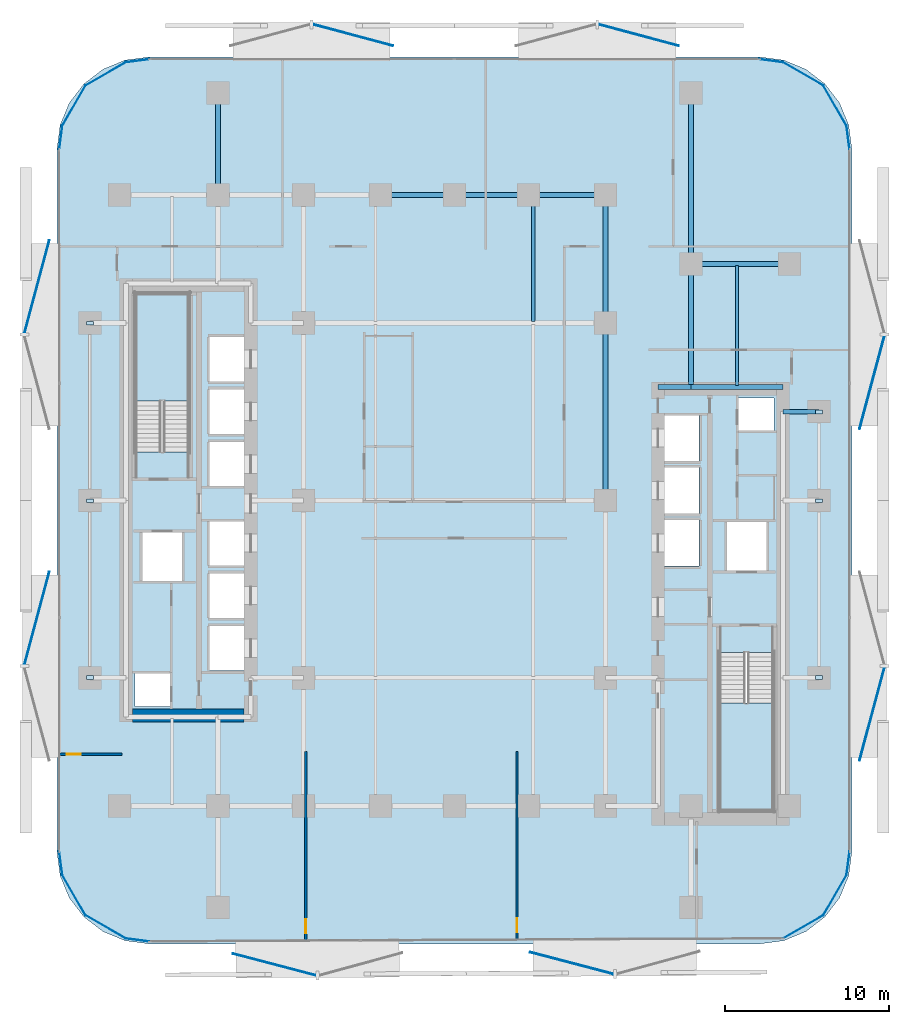
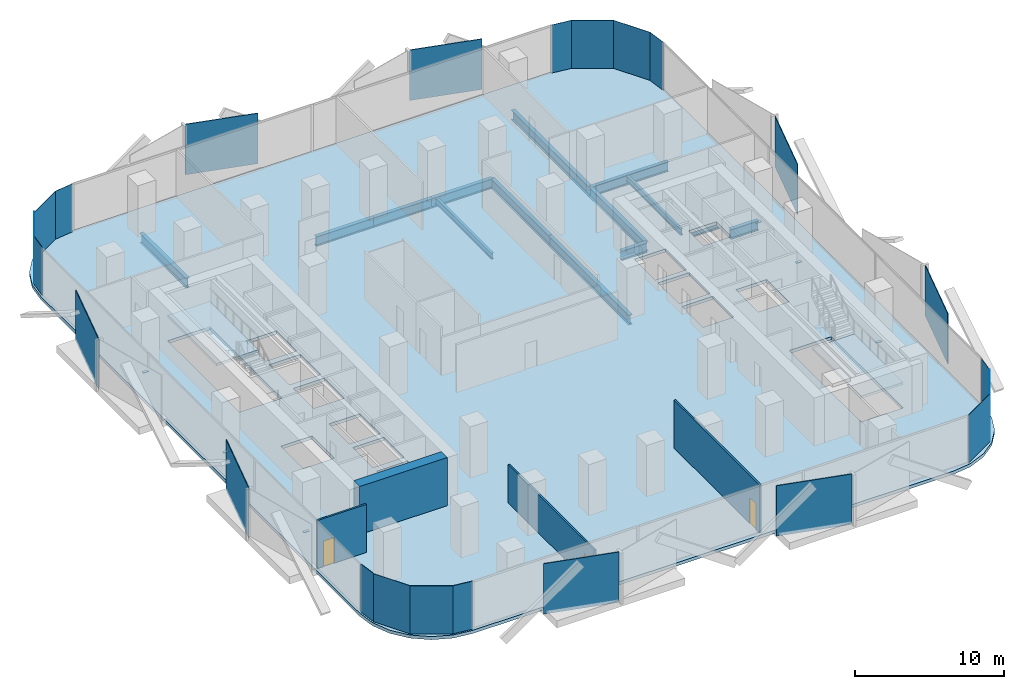
# One storey, part 2 of 15: 29 plates, 14 beams, 4 walls, 3 doors, 3 slabs, 3 openings, 2 elements without a shape of their own.
"""IFC4 building model written with IfcOpenShell, lengths in metres."""

from ifc_helpers import new_model, si_unit, direction, frame, frame_2d, origin, origin_2d, place, context, subcontext, project, spatial, polyline, rectangle, i_section, outline, extrude, material, layer, layer_set, material_profile, profile_set, type_object, element, fill, aggregate, save


model = new_model("IFC4")

# Units and contexts
model_context = context("Model", 3, precision=1e-05, world=origin(), true_north=direction((0.0, 1.0)))
body_context = subcontext(model_context, "Body", "Model", "MODEL_VIEW")
ifc_project = project(units=[si_unit("LENGTHUNIT", "METRE"), si_unit("AREAUNIT", "SQUARE_METRE"), si_unit("VOLUMEUNIT", "CUBIC_METRE"), si_unit("PLANEANGLEUNIT", "RADIAN"), si_unit("MASSUNIT", "GRAM", prefix="KILO")], contexts=[model_context])

# Site, building, storey
site_placement = place(None, origin())
site = spatial("IfcSite", under=ifc_project, at=site_placement, CompositionType="ELEMENT")
building_placement = place(site_placement, origin())
building = spatial("IfcBuilding", under=site, at=building_placement, Name="Khairoan Windgate Tower", CompositionType="ELEMENT")
storey_placement = place(building_placement, frame((0.0, 0.0, 51.199951171875)))
storey = spatial("IfcBuildingStorey", under=building, at=storey_placement, Name="L12", CompositionType="ELEMENT", Elevation=51.199951171875)

# Beams
ifc_material_1 = material(Name="Steel S355", Category="steel")
ifc_material_profile_1 = material_profile(ifc_material_1, i_section(OverallWidth=0.300048828125, OverallDepth=0.800048828125, WebThickness=0.013916015625, FlangeThickness=0.02587890625, FilletRadius=0.028076171875, at=origin_2d()))
ifc_profile_set_1 = profile_set([ifc_material_profile_1], Name="Steel S355")
beam_type_1 = type_object("IfcBeamType", Name="Beam B-G2 H800x300x14x26", PredefinedType="BEAM", material=ifc_profile_set_1)
beam_1_placement = place(storey_placement, frame((20.0, 5.39990234375, -0.659912109375), z_axis=(1.0, 0.0, 0.0), x_axis=(0.0, 1.0, 0.0)))
element("IfcBeam", 1, at=beam_1_placement, inside=storey, type_object=beam_type_1, Name="L12 E-W Primary Girder 19", PredefinedType="BEAM", context=body_context, shape_type="SweptSolid", body=[
    extrude(i_section(OverallWidth=0.300048828125, OverallDepth=0.800048828125, WebThickness=0.013916015625, FlangeThickness=0.02587890625, FilletRadius=0.028076171875, at=origin_2d()), origin(), (0.0, 0.0, 1.0), 2.199951171875),
])
beam_2_placement = place(storey_placement, frame((12.39990234375, 6.89990234375, -0.659912109375), z_axis=(1.0, 0.0, 0.0), x_axis=(0.0, 1.0, 0.0)))
element("IfcBeam", 2, at=beam_2_placement, inside=storey, type_object=beam_type_1, Name="L12 E-W Primary Girder 20", PredefinedType="BEAM", context=body_context, shape_type="SweptSolid", body=[
    extrude(i_section(OverallWidth=0.300048828125, OverallDepth=0.800048828125, WebThickness=0.013916015625, FlangeThickness=0.02587890625, FilletRadius=0.028076171875, at=origin_2d()), origin(), (0.0, 0.0, 1.0), 2.0),
])
beam_3_placement = place(storey_placement, frame((14.39990234375, 6.89990234375, -0.659912109375), z_axis=(1.0, 0.0, 0.0), x_axis=(0.0, 1.0, 0.0)))
element("IfcBeam", 3, at=beam_3_placement, inside=storey, type_object=beam_type_1, Name="L12 E-W Primary Girder 21", PredefinedType="BEAM", context=body_context, shape_type="SweptSolid", body=[
    extrude(i_section(OverallWidth=0.300048828125, OverallDepth=0.800048828125, WebThickness=0.013916015625, FlangeThickness=0.02587890625, FilletRadius=0.028076171875, at=origin_2d()), origin(), (0.0, 0.0, 1.0), 5.60009765625),
])
beam_4_placement = place(storey_placement, frame((14.39990234375, 14.39990234375, -0.659912109375), z_axis=(1.0, 0.0, 0.0), x_axis=(0.0, 1.0, 0.0)))
element("IfcBeam", 4, at=beam_4_placement, inside=storey, type_object=beam_type_1, Name="L12 E-W Primary Girder 27", PredefinedType="BEAM", context=body_context, shape_type="SweptSolid", body=[
    extrude(i_section(OverallWidth=0.300048828125, OverallDepth=0.800048828125, WebThickness=0.013916015625, FlangeThickness=0.02587890625, FilletRadius=0.028076171875, at=origin_2d()), origin(), (0.0, 0.0, 1.0), 6.0),
])
for number, where, z_axis, x_axis, name in (
    (5, (-4.5, 18.60009765625, -0.659912109375), (1.0, 0.0, 0.0), (0.0, 1.0, 0.0), "L12 E-W Primary Girder 31"),
    (6, (0.0, 18.60009765625, -0.659912109375), (1.0, 0.0, 0.0), (0.0, 1.0, 0.0), "L12 E-W Primary Girder 32"),
):
    element("IfcBeam", number, at=place(storey_placement, frame(where, z_axis=z_axis, x_axis=x_axis)), inside=storey, type_object=beam_type_1, Name=name, PredefinedType="BEAM", context=body_context, shape_type="SweptSolid", body=[
        extrude(i_section(OverallWidth=0.300048828125, OverallDepth=0.800048828125, WebThickness=0.013916015625, FlangeThickness=0.02587890625, FilletRadius=0.028076171875, at=origin_2d()), origin(), (0.0, 0.0, 1.0), 4.5),
    ])
beam_5_placement = place(storey_placement, frame((4.5, 18.60009765625, -0.659912109375), z_axis=(1.0, 0.0, 0.0), x_axis=(0.0, 1.0, 0.0)))
element("IfcBeam", 7, at=beam_5_placement, inside=storey, type_object=beam_type_1, Name="L12 E-W Primary Girder 33", PredefinedType="BEAM", context=body_context, shape_type="SweptSolid", body=[
    extrude(i_section(OverallWidth=0.300048828125, OverallDepth=0.800048828125, WebThickness=0.013916015625, FlangeThickness=0.02587890625, FilletRadius=0.028076171875, at=origin_2d()), origin(), (0.0, 0.0, 1.0), 4.699951171875),
])
beam_6_placement = place(storey_placement, frame((-14.39990234375, 18.60009765625, -0.659912109375), z_axis=(0.0, 1.0, 0.0), x_axis=(-1.0, 0.0, 0.0)))
element("IfcBeam", 8, at=beam_6_placement, inside=storey, type_object=beam_type_1, Name="L12 N-S Primary Beam 43", PredefinedType="BEAM", context=body_context, shape_type="SweptSolid", body=[
    extrude(i_section(OverallWidth=0.300048828125, OverallDepth=0.800048828125, WebThickness=0.013916015625, FlangeThickness=0.02587890625, FilletRadius=0.028076171875, at=origin_2d()), origin(), (0.0, 0.0, 1.0), 6.199951171875),
])
beam_7_placement = place(storey_placement, frame((9.199951171875, 0.0, -0.659912109375), z_axis=(0.0, 1.0, 0.0), x_axis=(-1.0, 0.0, 0.0)))
element("IfcBeam", 9, at=beam_7_placement, inside=storey, type_object=beam_type_1, Name="L12 N-S Primary Beam 52", PredefinedType="BEAM", context=body_context, shape_type="SweptSolid", body=[
    extrude(i_section(OverallWidth=0.300048828125, OverallDepth=0.800048828125, WebThickness=0.013916015625, FlangeThickness=0.02587890625, FilletRadius=0.028076171875, at=origin_2d()), origin(), (0.0, 0.0, 1.0), 10.800048828125),
])
beam_8_placement = place(storey_placement, frame((9.199951171875, 10.800048828125, -0.659912109375), z_axis=(0.0, 1.0, 0.0), x_axis=(-1.0, 0.0, 0.0)))
element("IfcBeam", 10, at=beam_8_placement, inside=storey, type_object=beam_type_1, Name="L12 N-S Primary Beam 53", PredefinedType="BEAM", context=body_context, shape_type="SweptSolid", body=[
    extrude(i_section(OverallWidth=0.300048828125, OverallDepth=0.800048828125, WebThickness=0.013916015625, FlangeThickness=0.02587890625, FilletRadius=0.028076171875, at=origin_2d()), origin(), (0.0, 0.0, 1.0), 7.800048828125),
])
beam_9_placement = place(storey_placement, frame((14.39990234375, 6.89990234375, -0.659912109375), z_axis=(0.0, 1.0, 0.0), x_axis=(-1.0, 0.0, 0.0)))
element("IfcBeam", 11, at=beam_9_placement, inside=storey, type_object=beam_type_1, Name="L12 N-S Primary Beam 56", PredefinedType="BEAM", context=body_context, shape_type="SweptSolid", body=[
    extrude(i_section(OverallWidth=0.300048828125, OverallDepth=0.800048828125, WebThickness=0.013916015625, FlangeThickness=0.02587890625, FilletRadius=0.028076171875, at=origin_2d()), origin(), (0.0, 0.0, 1.0), 7.5),
])
beam_10_placement = place(storey_placement, frame((14.39990234375, 14.39990234375, -0.659912109375), z_axis=(0.0, 1.0, 0.0), x_axis=(-1.0, 0.0, 0.0)))
element("IfcBeam", 12, at=beam_10_placement, inside=storey, type_object=beam_type_1, Name="L12 N-S Primary Beam 57", PredefinedType="BEAM", context=body_context, shape_type="SweptSolid", body=[
    extrude(i_section(OverallWidth=0.300048828125, OverallDepth=0.800048828125, WebThickness=0.013916015625, FlangeThickness=0.02587890625, FilletRadius=0.028076171875, at=origin_2d()), origin(), (0.0, 0.0, 1.0), 10.400146484375),
])
ifc_material_2 = material(Name="Steel S355", Category="steel")
ifc_material_profile_2 = material_profile(ifc_material_2, i_section(OverallWidth=0.199951171875, OverallDepth=0.5, WebThickness=0.010009765625, FlangeThickness=0.01611328125, FilletRadius=0.02001953125, at=origin_2d()))
ifc_profile_set_2 = profile_set([ifc_material_profile_2], Name="Steel S355")
beam_type_2 = type_object("IfcBeamType", Name="Beam J-S2 H500x200x10x16", PredefinedType="JOIST", material=ifc_profile_set_2)
beam_11_placement = place(storey_placement, frame((4.800048828125, 10.889892578125, -0.510009765625), z_axis=(0.0, 1.0, 0.0), x_axis=(-1.0, 0.0, 0.0)))
element("IfcBeam", 13, at=beam_11_placement, inside=storey, type_object=beam_type_2, Name="L12 Secondary Floor Joist 10", PredefinedType="JOIST", context=body_context, shape_type="SweptSolid", body=[
    extrude(i_section(OverallWidth=0.199951171875, OverallDepth=0.5, WebThickness=0.010009765625, FlangeThickness=0.01611328125, FilletRadius=0.02001953125, at=origin_2d()), origin(), (0.0, 0.0, 1.0), 7.6201171875),
])
beam_12_placement = place(storey_placement, frame((17.199951171875, 6.989990234375, -0.510009765625), z_axis=(0.0, 1.0, 0.0), x_axis=(-1.0, 0.0, 0.0)))
element("IfcBeam", 14, at=beam_12_placement, inside=storey, type_object=beam_type_2, Name="L12 Secondary Floor Joist 11", PredefinedType="JOIST", context=body_context, shape_type="SweptSolid", body=[
    extrude(i_section(OverallWidth=0.199951171875, OverallDepth=0.5, WebThickness=0.010009765625, FlangeThickness=0.01611328125, FilletRadius=0.02001953125, at=origin_2d()), origin(), (0.0, 0.0, 1.0), 7.320068359375),
])

# Plates
ifc_material_3 = material(Name="Low-E Solar Control Laminated Glass", Category="glass")
ifc_layer_1 = layer(ifc_material_3, 0.030029296875, Name="Low-E Solar Control Laminated Glass")
ifc_layer_set_1 = layer_set([ifc_layer_1], Name="Low-E Solar Control Laminated Glass")
plate_type_1 = type_object("IfcPlateType", Name="Aerodynamic Wind-Corner Curved Glazing Plate", PredefinedType="USERDEFINED", material=ifc_layer_set_1)
plate_placement = place(storey_placement, frame((-19.302001953125, -26.766357421875, 0.0), z_axis=(0.0, 0.0, 1.0), x_axis=(-0.991444861374, 0.13052619222, 0.0)))
element("IfcPlate", 15, at=plate_placement, inside=storey, type_object=plate_type_1, Name="L12 Aerodynamic Wind-Corner Curved Glazing Panel 2", ObjectType="GLAZING PANEL", PredefinedType="USERDEFINED", context=body_context, shape_type="SweptSolid", body=[
    extrude(rectangle(XDim=1.474365234375, YDim=0.028076171875, at=origin_2d()), origin(), (0.0, 0.0, 1.0), 3.93994140625),
])
for number, where, z_axis, x_axis, name in (
    (16, (-21.236328125, -25.96630859375, 0.0), (0.0, 0.0, 1.0), (-0.866025403784, 0.5, 0.0), "L12 Aerodynamic Wind-Corner Curved Glazing Panel 3"),
    (17, (-23.16650390625, -24.03662109375, 0.0), (0.0, 0.0, 1.0), (-0.5, 0.866025403784, 0.0), "L12 Aerodynamic Wind-Corner Curved Glazing Panel 4"),
):
    element("IfcPlate", number, at=place(storey_placement, frame(where, z_axis=z_axis, x_axis=x_axis)), inside=storey, type_object=plate_type_1, Name=name, ObjectType="GLAZING PANEL", PredefinedType="USERDEFINED", context=body_context, shape_type="SweptSolid", body=[
        extrude(rectangle(XDim=2.86572265625, YDim=0.028076171875, at=origin_2d()), origin(), (0.0, 0.0, 1.0), 3.93994140625),
    ])
for number, where, z_axis, x_axis, name in (
    (18, (-23.96630859375, -22.101806640625, 0.0), (0.0, 0.0, 1.0), (-0.13052619222, 0.991444861374, 0.0), "L12 Aerodynamic Wind-Corner Curved Glazing Panel 5"),
    (19, (-23.96630859375, 22.101806640625, 0.0), (0.0, 0.0, 1.0), (0.13052619222, 0.991444861374, 0.0), "L12 Aerodynamic Wind-Corner Curved Glazing Panel 7"),
):
    element("IfcPlate", number, at=place(storey_placement, frame(where, z_axis=z_axis, x_axis=x_axis)), inside=storey, type_object=plate_type_1, Name=name, ObjectType="GLAZING PANEL", PredefinedType="USERDEFINED", context=body_context, shape_type="SweptSolid", body=[
        extrude(rectangle(XDim=1.474365234375, YDim=0.028076171875, at=origin_2d()), origin(), (0.0, 0.0, 1.0), 3.93994140625),
    ])
for number, where, z_axis, x_axis, name in (
    (20, (-23.16650390625, 24.03662109375, 0.0), (0.0, 0.0, 1.0), (0.5, 0.866025403784, 0.0), "L12 Aerodynamic Wind-Corner Curved Glazing Panel 8"),
    (21, (-21.236328125, 25.96630859375, 0.0), (0.0, 0.0, 1.0), (0.866025403784, 0.5, 0.0), "L12 Aerodynamic Wind-Corner Curved Glazing Panel 9"),
):
    element("IfcPlate", number, at=place(storey_placement, frame(where, z_axis=z_axis, x_axis=x_axis)), inside=storey, type_object=plate_type_1, Name=name, ObjectType="GLAZING PANEL", PredefinedType="USERDEFINED", context=body_context, shape_type="SweptSolid", body=[
        extrude(rectangle(XDim=2.86572265625, YDim=0.028076171875, at=origin_2d()), origin(), (0.0, 0.0, 1.0), 3.93994140625),
    ])
for number, where, z_axis, x_axis, name in (
    (22, (-19.302001953125, 26.766357421875, 0.0), (0.0, 0.0, 1.0), (0.991444861374, 0.13052619222, 0.0), "L12 Aerodynamic Wind-Corner Curved Glazing Panel 10"),
    (23, (19.302001953125, 26.766357421875, 0.0), (0.0, 0.0, 1.0), (0.991444861374, -0.13052619222, 0.0), "L12 Aerodynamic Wind-Corner Curved Glazing Panel 12"),
):
    element("IfcPlate", number, at=place(storey_placement, frame(where, z_axis=z_axis, x_axis=x_axis)), inside=storey, type_object=plate_type_1, Name=name, ObjectType="GLAZING PANEL", PredefinedType="USERDEFINED", context=body_context, shape_type="SweptSolid", body=[
        extrude(rectangle(XDim=1.474365234375, YDim=0.028076171875, at=origin_2d()), origin(), (0.0, 0.0, 1.0), 3.93994140625),
    ])
for number, where, z_axis, x_axis, name in (
    (24, (21.236328125, 25.96630859375, 0.0), (0.0, 0.0, 1.0), (0.866025403784, -0.5, 0.0), "L12 Aerodynamic Wind-Corner Curved Glazing Panel 13"),
    (25, (23.16650390625, 24.03662109375, 0.0), (0.0, 0.0, 1.0), (0.5, -0.866025403784, 0.0), "L12 Aerodynamic Wind-Corner Curved Glazing Panel 14"),
):
    element("IfcPlate", number, at=place(storey_placement, frame(where, z_axis=z_axis, x_axis=x_axis)), inside=storey, type_object=plate_type_1, Name=name, ObjectType="GLAZING PANEL", PredefinedType="USERDEFINED", context=body_context, shape_type="SweptSolid", body=[
        extrude(rectangle(XDim=2.86572265625, YDim=0.028076171875, at=origin_2d()), origin(), (0.0, 0.0, 1.0), 3.93994140625),
    ])
for number, where, z_axis, x_axis, name in (
    (26, (23.96630859375, 22.101806640625, 0.0), (0.0, 0.0, 1.0), (0.13052619222, -0.991444861374, 0.0), "L12 Aerodynamic Wind-Corner Curved Glazing Panel 15"),
    (27, (23.96630859375, -22.101806640625, 0.0), (0.0, 0.0, 1.0), (-0.13052619222, -0.991444861374, 0.0), "L12 Aerodynamic Wind-Corner Curved Glazing Panel 17"),
):
    element("IfcPlate", number, at=place(storey_placement, frame(where, z_axis=z_axis, x_axis=x_axis)), inside=storey, type_object=plate_type_1, Name=name, ObjectType="GLAZING PANEL", PredefinedType="USERDEFINED", context=body_context, shape_type="SweptSolid", body=[
        extrude(rectangle(XDim=1.474365234375, YDim=0.028076171875, at=origin_2d()), origin(), (0.0, 0.0, 1.0), 3.93994140625),
    ])
for number, where, z_axis, x_axis, name in (
    (28, (23.16650390625, -24.03662109375, 0.0), (0.0, 0.0, 1.0), (-0.5, -0.866025403784, 0.0), "L12 Aerodynamic Wind-Corner Curved Glazing Panel 18"),
    (29, (21.236328125, -25.96630859375, 0.0), (0.0, 0.0, 1.0), (-0.866025403784, -0.5, 0.0), "L12 Aerodynamic Wind-Corner Curved Glazing Panel 19"),
):
    element("IfcPlate", number, at=place(storey_placement, frame(where, z_axis=z_axis, x_axis=x_axis)), inside=storey, type_object=plate_type_1, Name=name, ObjectType="GLAZING PANEL", PredefinedType="USERDEFINED", context=body_context, shape_type="SweptSolid", body=[
        extrude(rectangle(XDim=2.86572265625, YDim=0.028076171875, at=origin_2d()), origin(), (0.0, 0.0, 1.0), 3.93994140625),
    ])
ifc_material_4 = material(Name="Steel S355", Category="steel")
ifc_layer_2 = layer(ifc_material_4, 0.0400390625, Name="Steel S355")
ifc_layer_set_2 = layer_set([ifc_layer_2], Name="Steel S355")
plate_type_2 = type_object("IfcPlateType", Name="Hollow Section End-Cap Plate PL-CAP40", PredefinedType="SHEET", material=ifc_layer_set_2)
for number, where, z_axis, x_axis, name in (
    (30, (-22.199951171875, -10.784912109375, -0.47998046875), (0.0, 0.0, 1.0), (0.0, 1.0, 0.0), "BM-SP-L12-034 steel end-cap plate 1"),
    (31, (-22.199951171875, -0.014892578125, -0.47998046875), (0.0, 0.0, 1.0), (0.0, 1.0, 0.0), "BM-SP-L12-034 steel end-cap plate 2"),
    (32, (-22.199951171875, 10.784912109375, -0.47998046875), (0.0, 0.0, 1.0), (0.0, 1.0, 0.0), "BM-SP-L12-035 steel end-cap plate 2"),
    (33, (22.199951171875, -10.784912109375, -0.47998046875), (0.0, 0.0, 1.0), (0.0, 1.0, 0.0), "BM-SP-L12-061 steel end-cap plate 1"),
    (34, (22.199951171875, -0.014892578125, -0.47998046875), (0.0, 0.0, 1.0), (0.0, 1.0, 0.0), "BM-SP-L12-061 steel end-cap plate 2"),
    (35, (22.199951171875, 5.385009765625, -0.47998046875), (0.0, 0.0, 1.0), (0.0, 1.0, 0.0), "BM-SP-L12-062 steel end-cap plate 2"),
):
    element("IfcPlate", number, at=place(storey_placement, frame(where, z_axis=z_axis, x_axis=x_axis)), inside=storey, type_object=plate_type_2, Name=name, PredefinedType="SHEET", context=body_context, shape_type="SweptSolid", body=[
        extrude(rectangle(XDim=0.219970703125, YDim=0.419921875, at=origin_2d()), origin(), (0.0, 0.0, 1.0), 0.0400390625),
    ])
ifc_material_5 = material(Name="Anodised Bronze Aluminium 6063-T6", Category="aluminium")
ifc_layer_3 = layer(ifc_material_5, 0.054931640625, Name="Anodised Bronze Aluminium 6063-T6")
ifc_layer_set_3 = layer_set([ifc_layer_3], Name="Anodised Bronze Aluminium 6063-T6")
plate_type_3 = type_object("IfcPlateType", Name="Perforated Bronze Solar Screen Panel BSP-1", PredefinedType="USERDEFINED", material=ifc_layer_set_3)
for number, where, z_axis, x_axis, name in (
    (36, (7.143310546875, -28.17578125, -0.10009765625), (0.0, 0.0, 1.0), (-0.967179115616, 0.254095569259, 0.0), "L12 Perforated Bronze Solar Screen Panel 49R"),
    (37, (-10.95849609375, -28.263671875, -0.10009765625), (0.0, 0.0, 1.0), (-0.967179115616, 0.254095569259, 0.0), "L12 Perforated Bronze Solar Screen Panel 50R"),
):
    element("IfcPlate", number, at=place(storey_placement, frame(where, z_axis=z_axis, x_axis=x_axis)), inside=storey, type_object=plate_type_3, Name=name, ObjectType="SCREEN", PredefinedType="USERDEFINED", context=body_context, shape_type="SweptSolid", body=[
        extrude(rectangle(XDim=5.25, YDim=0.054931640625, at=origin_2d()), origin(), (0.0, 0.0, 1.0), 4.139892578125),
    ])
for number, where, z_axis, x_axis, name in (
    (38, (-25.42236328125, -7.177734375, -0.10009765625), (0.0, 0.0, 1.0), (0.258819045103, 0.965925826289, 0.0), "L12 Perforated Bronze Solar Screen Panel 51R"),
    (39, (-25.42236328125, 13.01318359375, -0.10009765625), (0.0, 0.0, 1.0), (0.258819045103, 0.965925826289, 0.0), "L12 Perforated Bronze Solar Screen Panel 52R"),
):
    element("IfcPlate", number, at=place(storey_placement, frame(where, z_axis=z_axis, x_axis=x_axis)), inside=storey, type_object=plate_type_3, Name=name, ObjectType="SCREEN", PredefinedType="USERDEFINED", context=body_context, shape_type="SweptSolid", body=[
        extrude(rectangle(XDim=5.85498046875, YDim=0.054931640625, at=origin_2d()), origin(), (0.0, 0.0, 1.0), 4.139892578125),
    ])
for number, where, z_axis, x_axis, name in (
    (40, (-6.169921875, 28.327392578125, -0.10009765625), (0.0, 0.0, 1.0), (0.965925826289, -0.258819045103, 0.0), "L12 Perforated Bronze Solar Screen Panel 53R"),
    (41, (11.220947265625, 28.327392578125, -0.10009765625), (0.0, 0.0, 1.0), (0.965925826289, -0.258819045103, 0.0), "L12 Perforated Bronze Solar Screen Panel 54R"),
):
    element("IfcPlate", number, at=place(storey_placement, frame(where, z_axis=z_axis, x_axis=x_axis)), inside=storey, type_object=plate_type_3, Name=name, ObjectType="SCREEN", PredefinedType="USERDEFINED", context=body_context, shape_type="SweptSolid", body=[
        extrude(rectangle(XDim=5.04296875, YDim=0.054931640625, at=origin_2d()), origin(), (0.0, 0.0, 1.0), 4.139892578125),
    ])
for number, where, z_axis, x_axis, name in (
    (42, (25.42236328125, 7.177734375, -0.10009765625), (0.0, 0.0, 1.0), (-0.258819045103, -0.965925826289, 0.0), "L12 Perforated Bronze Solar Screen Panel 55R"),
    (43, (25.42236328125, -13.01318359375, -0.10009765625), (0.0, 0.0, 1.0), (-0.258819045103, -0.965925826289, 0.0), "L12 Perforated Bronze Solar Screen Panel 56R"),
):
    element("IfcPlate", number, at=place(storey_placement, frame(where, z_axis=z_axis, x_axis=x_axis)), inside=storey, type_object=plate_type_3, Name=name, ObjectType="SCREEN", PredefinedType="USERDEFINED", context=body_context, shape_type="SweptSolid", body=[
        extrude(rectangle(XDim=5.85498046875, YDim=0.054931640625, at=origin_2d()), origin(), (0.0, 0.0, 1.0), 4.139892578125),
    ])

# Stair, slab
ifc_material_6 = material(Name="Concrete C40/50", Category="concrete")
stair_type = type_object("IfcStairType", Name="Tower Core Dog-Leg Stair ST-T1 1560mm", PredefinedType="HALF_TURN_STAIR", material=ifc_material_6)
stair_1_placement = place(storey_placement, origin())
stair_1 = element("IfcStair", 44, at=stair_1_placement, inside=storey, type_object=stair_type, Name="L12 Stair ST1", PredefinedType="HALF_TURN_STAIR")
ifc_material_7 = material(Name="Concrete C40/50", Category="concrete")
ifc_layer_4 = layer(ifc_material_7, 0.199951171875, Name="Concrete C40/50")
ifc_layer_set_4 = layer_set([ifc_layer_4], Name="Concrete C40/50")
slab_type_1 = type_object("IfcSlabType", Name="Reinforced Concrete Stair Landing Slab STL-200", PredefinedType="LANDING", material=ifc_layer_set_4)
slab_1_placement = place(storey_placement, frame((0.0, 0.0, 1.900146484375)))
slab_1 = element("IfcSlab", 45, at=slab_1_placement, type_object=slab_type_1, Name="ST1 landing 1", PredefinedType="LANDING", context=body_context, shape_type="SweptSolid", body=[
    extrude(outline(polyline([(16.14990234375, -12.340087890625), (16.14990234375, -18.89990234375), (19.419921875, -18.89990234375), (19.419921875, -12.340087890625), (16.14990234375, -12.340087890625)])), origin(), (0.0, 0.0, 1.0), 0.199951171875),
])
aggregate(stair_1, [slab_1])

stair_2_placement = place(storey_placement, origin())
stair_2 = element("IfcStair", 46, at=stair_2_placement, inside=storey, type_object=stair_type, Name="L12 Stair ST2", PredefinedType="HALF_TURN_STAIR")
slab_2_placement = place(storey_placement, frame((0.0, 0.0, 1.900146484375)))
slab_2 = element("IfcSlab", 47, at=slab_2_placement, type_object=slab_type_1, Name="ST2 landing 1", PredefinedType="LANDING", context=body_context, shape_type="SweptSolid", body=[
    extrude(outline(polyline([(-16.14990234375, 6.0400390625), (-16.14990234375, 12.60009765625), (-19.419921875, 12.60009765625), (-19.419921875, 6.0400390625), (-16.14990234375, 6.0400390625)])), origin(), (0.0, 0.0, 1.0), 0.199951171875),
])
aggregate(stair_2, [slab_2])

# Slab
ifc_material_8 = material(Name="Concrete C40/50", Category="concrete")
ifc_layer_5 = layer(ifc_material_8, 0.260009765625, Name="Concrete C40/50")
ifc_layer_set_5 = layer_set([ifc_layer_5], Name="Concrete C40/50")
slab_type_2 = type_object("IfcSlabType", Name="Tower Composite Floor Slab FS2 260mm", PredefinedType="FLOOR", material=ifc_layer_set_5)
slab_3_placement = place(storey_placement, frame((0.0, 0.0, -0.260009765625)))
element("IfcSlab", 48, at=slab_3_placement, inside=storey, type_object=slab_type_2, Name="L12 Structural Floor Slab", PredefinedType="FLOOR", context=body_context, shape_type="SweptSolid", body=[
    extrude(outline(polyline([(18.60009765625, -27.0), (20.04931640625, -26.80908203125), (21.39990234375, -26.249755859375), (22.559814453125, -25.35986328125), (23.44970703125, -24.199951171875), (24.00927734375, -22.849365234375), (24.199951171875, -21.39990234375), (24.199951171875, 21.39990234375), (24.00927734375, 22.849365234375), (23.44970703125, 24.199951171875), (22.559814453125, 25.35986328125), (21.39990234375, 26.249755859375), (20.04931640625, 26.80908203125), (18.60009765625, 27.0), (-18.60009765625, 27.0), (-20.04931640625, 26.80908203125), (-21.39990234375, 26.249755859375), (-22.559814453125, 25.35986328125), (-23.44970703125, 24.199951171875), (-24.00927734375, 22.849365234375), (-24.199951171875, 21.39990234375), (-24.199951171875, -21.39990234375), (-24.00927734375, -22.849365234375), (-23.44970703125, -24.199951171875), (-22.559814453125, -25.35986328125), (-21.39990234375, -26.249755859375), (-20.04931640625, -26.80908203125), (-18.60009765625, -27.0), (18.60009765625, -27.0)]), holes=[polyline([(16.14990234375, -9.260009765625), (16.14990234375, -18.89990234375), (19.419921875, -18.89990234375), (19.419921875, -9.260009765625), (16.14990234375, -9.260009765625)]), polyline([(-16.14990234375, 2.9599609375), (-16.14990234375, 12.60009765625), (-19.419921875, 12.60009765625), (-19.419921875, 2.9599609375), (-16.14990234375, 2.9599609375)]), polyline([(-14.89990234375, 7.25), (-12.5, 7.25), (-12.5, 9.949951171875), (-14.89990234375, 9.949951171875), (-14.89990234375, 7.25)]), polyline([(-14.89990234375, 4.050048828125), (-12.5, 4.050048828125), (-12.5, 6.75), (-14.89990234375, 6.75), (-14.89990234375, 4.050048828125)]), polyline([(-14.89990234375, 0.85009765625), (-12.5, 0.85009765625), (-12.5, 3.550048828125), (-14.89990234375, 3.550048828125), (-14.89990234375, 0.85009765625)]), polyline([(-14.89990234375, -3.949951171875), (-12.5, -3.949951171875), (-12.5, -1.25), (-14.89990234375, -1.25), (-14.89990234375, -3.949951171875)]), polyline([(-14.89990234375, -7.14990234375), (-12.5, -7.14990234375), (-12.5, -4.449951171875), (-14.89990234375, -4.449951171875), (-14.89990234375, -7.14990234375)]), polyline([(-14.89990234375, -10.35009765625), (-12.5, -10.35009765625), (-12.5, -7.64990234375), (-14.89990234375, -7.64990234375), (-14.89990234375, -10.35009765625)]), polyline([(12.5, 2.39990234375), (14.89990234375, 2.39990234375), (14.89990234375, 5.199951171875), (12.5, 5.199951171875), (12.5, 2.39990234375)]), polyline([(12.5, -0.800048828125), (14.89990234375, -0.800048828125), (14.89990234375, 2.0), (12.5, 2.0), (12.5, -0.800048828125)]), polyline([(12.5, -4.0), (14.89990234375, -4.0), (14.89990234375, -1.199951171875), (12.5, -1.199951171875), (12.5, -4.0)]), polyline([(16.60009765625, -4.300048828125), (19.0, -4.300048828125), (19.0, -1.300048828125), (16.60009765625, -1.300048828125), (16.60009765625, -4.300048828125)]), polyline([(-19.0, -4.89990234375), (-16.60009765625, -4.89990234375), (-16.60009765625, -1.89990234375), (-19.0, -1.89990234375), (-19.0, -4.89990234375)]), polyline([(-19.449951171875, -12.550048828125), (-17.31005859375, -12.550048828125), (-17.31005859375, -10.550048828125), (-19.449951171875, -10.550048828125), (-19.449951171875, -12.550048828125)]), polyline([(17.31005859375, 4.25), (19.449951171875, 4.25), (19.449951171875, 6.25), (17.31005859375, 6.25), (17.31005859375, 4.25)])]), origin(), (0.0, 0.0, 1.0), 0.260009765625),
])

# Wall, opening, door
ifc_material_9 = material(Name="Acoustic Fire-Rated Gypsum Partition", Category="gypsum")
ifc_layer_6 = layer(ifc_material_9, 0.139892578125, Name="Acoustic Fire-Rated Gypsum Partition")
ifc_layer_set_6 = layer_set([ifc_layer_6], Name="Acoustic Fire-Rated Gypsum Partition")
wall_type_1 = type_object("IfcWallType", Name="Inter-Tenancy Compartment Wall", PredefinedType="PARTITIONING", material=ifc_layer_set_6)
wall_1_placement = place(storey_placement, frame((-24.054931640625, -15.4599609375, 0.0), z_axis=(0.0, 0.0, 1.0), x_axis=(1.0, 0.0, 0.0)))
wall_1 = element("IfcWall", 49, at=wall_1_placement, inside=storey, type_object=wall_type_1, Name="L12 Interior Partition 024", PredefinedType="PARTITIONING", context=body_context, shape_type="SweptSolid", body=[
    extrude(rectangle(XDim=3.81494140625, YDim=0.139892578125, at=frame_2d((1.907470703125, 0.0))), origin(), (0.0, 0.0, 1.0), 3.93994140625),
])
opening_1_placement = place(wall_1_placement, frame((0.4599609375, 0.0, 0.0)))
opening_1 = element("IfcOpeningElement", 50, at=opening_1_placement, cuts=wall_1, Name="Opening FD-SRV", PredefinedType="OPENING", context=body_context, shape_type="SweptSolid", body=[
    extrude(rectangle(XDim=0.85009765625, YDim=2.10009765625, at=frame_2d((0.425048828125, 1.050048828125))), frame((0.0, 0.079833984375, 0.0), z_axis=(0.0, -1.0, 0.0), x_axis=(1.0, 0.0, 0.0)), (0.0, 0.0, 1.0), 0.159912109375),
])
ifc_material_10 = material(Name="Steel S355", Category="steel")
door_type = type_object("IfcDoorType", Name="Core Service and Riser Fire Door FD-SRV 850x2100", OperationType="NOTDEFINED", PredefinedType="DOOR", material=ifc_material_10)
door_1_placement = place(opening_1_placement, origin())
door_1 = element("IfcDoor", 51, at=door_1_placement, inside=storey, type_object=door_type, Name="L12 L12-36-L12-43 Door", OperationType="SINGLE_SWING_LEFT", OverallHeight=2.10009765625, OverallWidth=0.85009765625, PredefinedType="DOOR", context=body_context, shape_type="SweptSolid", body=[
    extrude(rectangle(XDim=0.85009765625, YDim=2.10009765625, at=frame_2d((0.425048828125, 1.050048828125))), frame((0.0, 0.02490234375, 0.0), z_axis=(0.0, -1.0, 0.0), x_axis=(1.0, 0.0, 0.0)), (0.0, 0.0, 1.0), 0.050048828125),
])
fill(opening_1, door_1)

wall_2_placement = place(storey_placement, frame((-9.0439453125, -26.80859375, 0.0), z_axis=(0.0, 0.0, 1.0), x_axis=(0.0, 1.0, 0.0)))
wall_2 = element("IfcWall", 52, at=wall_2_placement, inside=storey, type_object=wall_type_1, Name="L12 Interior Partition 031", PredefinedType="PARTITIONING", context=body_context, shape_type="SweptSolid", body=[
    extrude(rectangle(XDim=11.528564453125, YDim=0.139892578125, at=frame_2d((5.76416015625, 0.0))), origin(), (0.0, 0.0, 1.0), 3.14013671875),
])
opening_2_placement = place(wall_2_placement, frame((0.4599609375, 0.0, 0.0)))
opening_2 = element("IfcOpeningElement", 53, at=opening_2_placement, cuts=wall_2, Name="Opening FD-SRV", PredefinedType="OPENING", context=body_context, shape_type="SweptSolid", body=[
    extrude(rectangle(XDim=0.85009765625, YDim=2.10009765625, at=frame_2d((0.425048828125, 1.050048828125))), frame((0.0, 0.079833984375, 0.0), z_axis=(0.0, -1.0, 0.0), x_axis=(1.0, 0.0, 0.0)), (0.0, 0.0, 1.0), 0.159912109375),
])
door_2_placement = place(opening_2_placement, origin())
door_2 = element("IfcDoor", 54, at=door_2_placement, inside=storey, type_object=door_type, Name="L12 L12-43-L12-44 Door", OperationType="SINGLE_SWING_RIGHT", OverallHeight=2.10009765625, OverallWidth=0.85009765625, PredefinedType="DOOR", context=body_context, shape_type="SweptSolid", body=[
    extrude(rectangle(XDim=0.85009765625, YDim=2.10009765625, at=frame_2d((0.425048828125, 1.050048828125))), frame((0.0, 0.02490234375, 0.0), z_axis=(0.0, -1.0, 0.0), x_axis=(1.0, 0.0, 0.0)), (0.0, 0.0, 1.0), 0.050048828125),
])
fill(opening_2, door_2)

wall_3_placement = place(storey_placement, frame((3.80810546875, -26.746337890625, 0.0), z_axis=(0.0, 0.0, 1.0), x_axis=(0.0, 1.0, 0.0)))
wall_3 = element("IfcWall", 55, at=wall_3_placement, inside=storey, type_object=wall_type_1, Name="L12 Interior Partition 032", PredefinedType="PARTITIONING", context=body_context, shape_type="SweptSolid", body=[
    extrude(rectangle(XDim=11.46630859375, YDim=0.139892578125, at=frame_2d((5.733154296875, 0.0))), origin(), (0.0, 0.0, 1.0), 3.93994140625),
])
opening_3_placement = place(wall_3_placement, frame((0.4599609375, 0.0, 0.0)))
opening_3 = element("IfcOpeningElement", 56, at=opening_3_placement, cuts=wall_3, Name="Opening FD-SRV", PredefinedType="OPENING", context=body_context, shape_type="SweptSolid", body=[
    extrude(rectangle(XDim=0.85009765625, YDim=2.10009765625, at=frame_2d((0.425048828125, 1.050048828125))), frame((0.0, 0.079833984375, 0.0), z_axis=(0.0, -1.0, 0.0), x_axis=(1.0, 0.0, 0.0)), (0.0, 0.0, 1.0), 0.159912109375),
])
door_3_placement = place(opening_3_placement, origin())
door_3 = element("IfcDoor", 57, at=door_3_placement, inside=storey, type_object=door_type, Name="L12 L12-44-L12-45 Door", OperationType="SINGLE_SWING_LEFT", OverallHeight=2.10009765625, OverallWidth=0.85009765625, PredefinedType="DOOR", context=body_context, shape_type="SweptSolid", body=[
    extrude(rectangle(XDim=0.85009765625, YDim=2.10009765625, at=frame_2d((0.425048828125, 1.050048828125))), frame((0.0, 0.02490234375, 0.0), z_axis=(0.0, -1.0, 0.0), x_axis=(1.0, 0.0, 0.0)), (0.0, 0.0, 1.0), 0.050048828125),
])
fill(opening_3, door_3)

# Wall
ifc_material_11 = material(Name="Concrete C70/85", Category="concrete")
ifc_layer_7 = layer(ifc_material_11, 0.800048828125, Name="Concrete C70/85")
ifc_layer_set_7 = layer_set([ifc_layer_7], Name="Concrete C70/85")
wall_type_2 = type_object("IfcWallType", Name="Shear Wall CW-W1 800mm", PredefinedType="SHEAR", material=ifc_layer_set_7)
wall_4_placement = place(storey_placement, frame((-19.60009765625, -13.10009765625, 0.0), z_axis=(0.0, 0.0, 1.0), x_axis=(1.0, 0.0, 0.0)))
element("IfcWall", 58, at=wall_4_placement, inside=storey, type_object=wall_type_2, Name="W Core South Shear Wall L12", PredefinedType="SHEAR", context=body_context, shape_type="SweptSolid", body=[
    extrude(rectangle(XDim=6.800048828125, YDim=0.800048828125, at=frame_2d((3.39990234375, 0.0))), origin(), (0.0, 0.0, 1.0), 3.93994140625),
])

save(model, "model.ifc")
